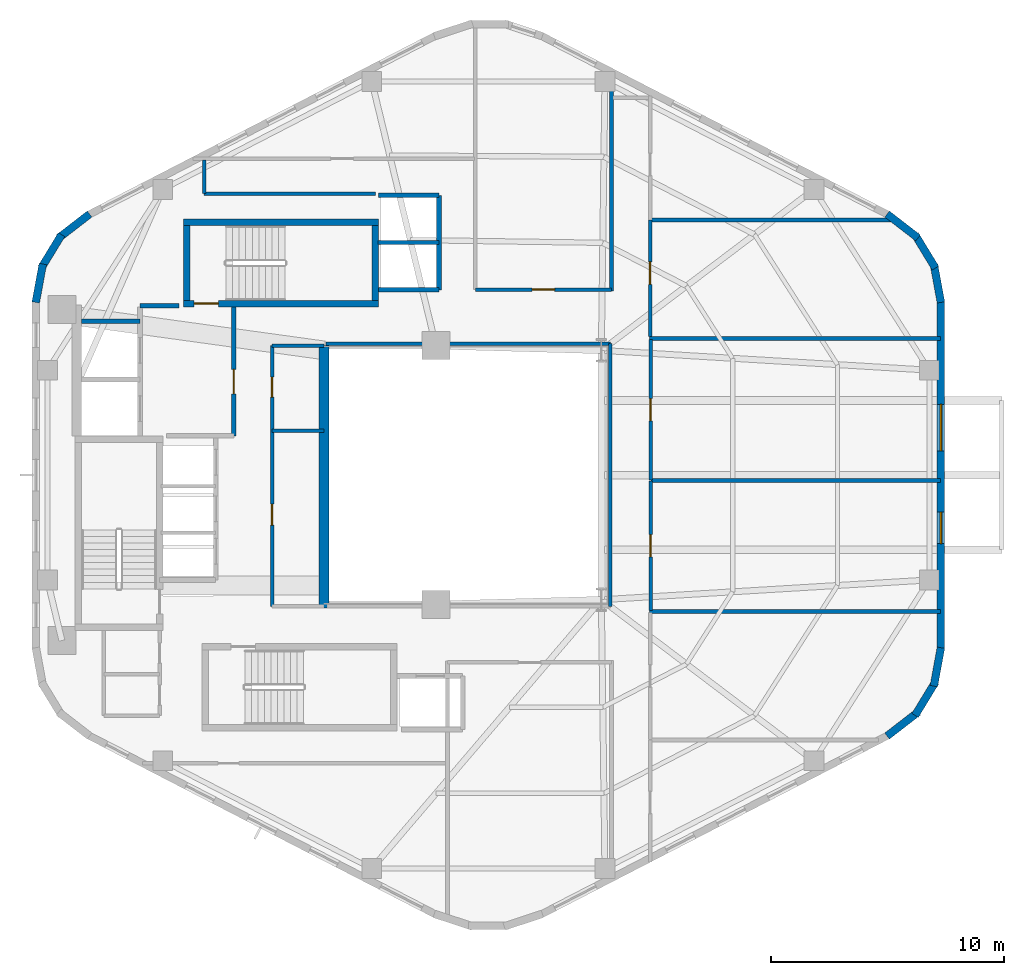
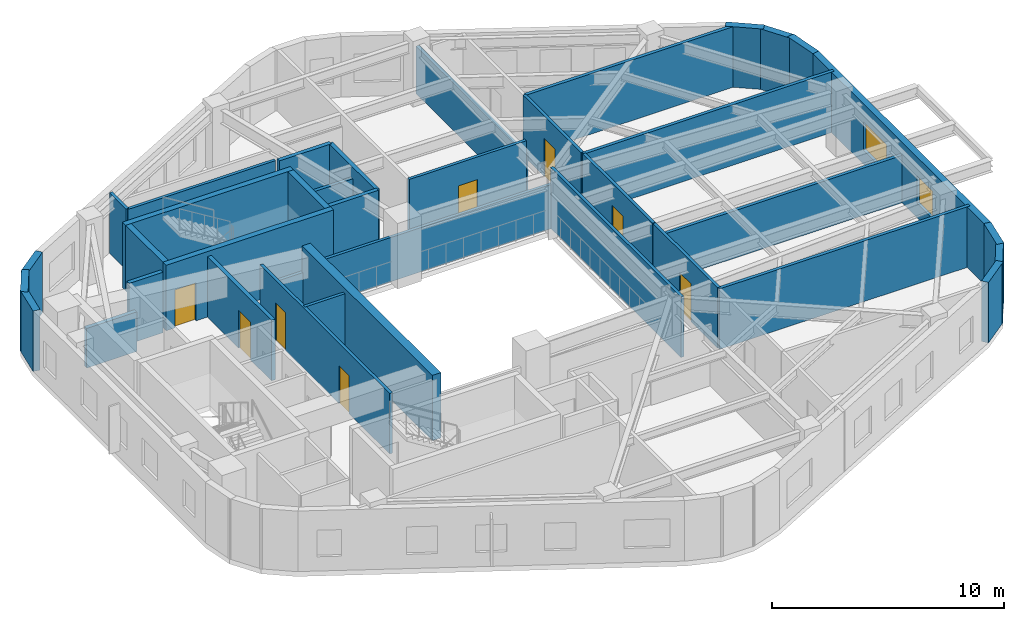
# One storey, part 4 of 6: 38 walls, 8 doors, 2 windows, 10 openings.
"""IFC4 building model written with IfcOpenShell, lengths in metres."""

from ifc_helpers import new_model, si_unit, direction, frame, frame_2d, origin, place, context, subcontext, project, spatial, rectangle, extrude, material, layer, layer_set, type_object, element, fill, save


model = new_model("IFC4")

# Units and contexts
model_context = context("Model", 3, precision=1e-05, world=origin(), true_north=direction((0.0, 1.0)))
body_context = subcontext(model_context, "Body", "Model", "MODEL_VIEW")
ifc_project = project(units=[si_unit("LENGTHUNIT", "METRE"), si_unit("AREAUNIT", "SQUARE_METRE"), si_unit("VOLUMEUNIT", "CUBIC_METRE"), si_unit("PLANEANGLEUNIT", "RADIAN"), si_unit("MASSUNIT", "GRAM", prefix="KILO"), si_unit("THERMODYNAMICTEMPERATUREUNIT", "KELVIN"), si_unit("POWERUNIT", "WATT")], contexts=[model_context])

# Site, building, storey
site_placement = place(None, origin())
site = spatial("IfcSite", under=ifc_project, at=site_placement, CompositionType="ELEMENT")
building_placement = place(site_placement, origin())
building = spatial("IfcBuilding", under=site, at=building_placement, Name="Skarre Station Tower", CompositionType="ELEMENT")
storey_placement = place(building_placement, frame((0.0, 0.0, 210.25)))
storey = spatial("IfcBuildingStorey", under=building, at=storey_placement, Name="L57", CompositionType="ELEMENT", Elevation=210.25)

# Wall
ifc_material_1 = material(Name="Acoustic Steel-Stud Gypsum Partition", Category="steel")
ifc_layer_1 = layer(ifc_material_1, 0.14990234375, Name="Acoustic Steel-Stud Gypsum Partition")
ifc_layer_set_1 = layer_set([ifc_layer_1], Name="Acoustic Steel-Stud Gypsum Partition")
wall_type_1 = type_object("IfcWallType", Name="Fire-Rated Corridor Acoustic Partition 150", PredefinedType="PARTITIONING", material=ifc_layer_set_1)
wall_1_placement = place(storey_placement, frame((25.320068359375, 25.89990234375, 0.0), z_axis=(0.0, 0.0, 1.0), x_axis=(1.0, 0.0, 0.0)))
element("IfcWall", 1, at=wall_1_placement, inside=storey, type_object=wall_type_1, Name="L57 Interior Partition WL-PT-L57-RC2-M", PredefinedType="PARTITIONING", context=body_context, shape_type="SweptSolid", body=[
    extrude(rectangle(XDim=2.22998046875, YDim=0.14990234375, at=frame_2d((1.114990234375, 0.0))), origin(), (0.0, 0.0, 1.0), 3.18994140625),
])

# Wall, openings, doors
wall_2_placement = place(storey_placement, frame((25.320068359375, 29.550048828125, 0.0), z_axis=(0.0, 0.0, 1.0), x_axis=(0.0, -1.0, 0.0)))
wall_2 = element("IfcWall", 2, at=wall_2_placement, inside=storey, type_object=wall_type_1, Name="L57 Interior Partition WL-PT-L57-RC2-W", PredefinedType="PARTITIONING", context=body_context, shape_type="SweptSolid", body=[
    extrude(rectangle(XDim=11.18994140625, YDim=0.14990234375, at=frame_2d((5.594970703125, 0.0))), origin(), (0.0, 0.0, 1.0), 3.18994140625),
])
opening_1_placement = place(wall_2_placement, frame((1.35009765625, 0.0, 0.0)))
opening_1 = element("IfcOpeningElement", 3, at=opening_1_placement, cuts=wall_2, Name="Opening DR-SVC86", PredefinedType="OPENING", context=body_context, shape_type="SweptSolid", body=[
    extrude(rectangle(XDim=0.860107421875, YDim=2.0, at=frame_2d((0.43017578125, 1.0))), frame((0.0, 0.0849609375, 0.0), z_axis=(0.0, -1.0, 0.0), x_axis=(1.0, 0.0, 0.0)), (0.0, 0.0, 1.0), 0.169921875),
])
opening_2_placement = place(wall_2_placement, frame((6.800048828125, 0.0, 0.0)))
opening_2 = element("IfcOpeningElement", 4, at=opening_2_placement, cuts=wall_2, Name="Opening DR-SVC90", PredefinedType="OPENING", context=body_context, shape_type="SweptSolid", body=[
    extrude(rectangle(XDim=0.89990234375, YDim=2.0, at=frame_2d((0.449951171875, 1.0))), frame((0.0, 0.0849609375, 0.0), z_axis=(0.0, -1.0, 0.0), x_axis=(1.0, 0.0, 0.0)), (0.0, 0.0, 1.0), 0.169921875),
])
ifc_material_2 = material(Name="Powder-Coated Hollow-Metal Acoustic Fire Leaf", Category="steel")
door_type_1 = type_object("IfcDoorType", Name="Compact Riser Fire Door FD60 860x2100", OperationType="SINGLE_SWING_LEFT", PredefinedType="DOOR", material=ifc_material_2)
door_1_placement = place(opening_1_placement, origin())
door_1 = element("IfcDoor", 5, at=door_1_placement, inside=storey, type_object=door_type_1, Name="L57 Housekeeping Room Door", OperationType="SINGLE_SWING_LEFT", OverallHeight=2.0, OverallWidth=0.860107421875, PredefinedType="DOOR", context=body_context, shape_type="SweptSolid", body=[
    extrude(rectangle(XDim=0.860107421875, YDim=2.0, at=frame_2d((0.43017578125, 1.0))), frame((0.0, 0.02490234375, 0.0), z_axis=(0.0, -1.0, 0.0), x_axis=(1.0, 0.0, 0.0)), (0.0, 0.0, 1.0), 0.050048828125),
])
fill(opening_1, door_1)
door_type_2 = type_object("IfcDoorType", Name="Service & Riser Fire Door FD60 900x2100", OperationType="SINGLE_SWING_LEFT", PredefinedType="DOOR", material=ifc_material_2)
door_2_placement = place(opening_2_placement, origin())
door_2 = element("IfcDoor", 6, at=door_2_placement, inside=storey, type_object=door_type_2, Name="L57 Tasting Pantry Door", OperationType="SINGLE_SWING_LEFT", OverallHeight=2.0, OverallWidth=0.89990234375, PredefinedType="DOOR", context=body_context, shape_type="SweptSolid", body=[
    extrude(rectangle(XDim=0.89990234375, YDim=2.0, at=frame_2d((0.449951171875, 1.0))), frame((0.0, 0.02490234375, 0.0), z_axis=(0.0, -1.0, 0.0), x_axis=(1.0, 0.0, 0.0)), (0.0, 0.0, 1.0), 0.050048828125),
])
fill(opening_2, door_2)

# Walls
wall_3_placement = place(storey_placement, frame((27.550048828125, 29.550048828125, 0.0), z_axis=(0.0, 0.0, 1.0), x_axis=(-1.0, 0.0, 0.0)))
element("IfcWall", 7, at=wall_3_placement, inside=storey, type_object=wall_type_1, Name="L57 Interior Partition WL-PT-L57-RC2-N", PredefinedType="PARTITIONING", context=body_context, shape_type="SweptSolid", body=[
    extrude(rectangle(XDim=2.22998046875, YDim=0.14990234375, at=frame_2d((1.114990234375, 0.0))), origin(), (0.0, 0.0, 1.0), 2.090087890625),
])
wall_4_placement = place(storey_placement, frame((39.840087890625, 29.639892578125, 0.0), z_axis=(0.0, 0.0, 1.0), x_axis=(-1.0, 0.0, 0.0)))
element("IfcWall", 8, at=wall_4_placement, inside=storey, type_object=wall_type_1, Name="L57 Interior Partition WL-PT-L57-ATRW-N", PredefinedType="PARTITIONING", context=body_context, shape_type="SweptSolid", body=[
    extrude(rectangle(XDim=12.203125, YDim=0.14990234375, at=frame_2d((6.1015625, 0.0))), origin(), (0.0, 0.0, 1.0), 2.3310546875),
])
wall_5_placement = place(storey_placement, frame((39.840087890625, 18.360107421875, 0.0), z_axis=(0.0, 0.0, 1.0), x_axis=(0.0, 1.0, 0.0)))
element("IfcWall", 9, at=wall_5_placement, inside=storey, type_object=wall_type_1, Name="L57 Interior Partition WL-PT-L57-ATRW-E", PredefinedType="PARTITIONING", context=body_context, shape_type="SweptSolid", body=[
    extrude(rectangle(XDim=11.27978515625, YDim=0.14990234375, at=frame_2d((5.639892578125, 0.0))), origin(), (0.0, 0.0, 1.0), 3.18994140625),
])

# Wall, opening, door
wall_6_placement = place(storey_placement, frame((39.8798828125, 31.9599609375, 0.0), z_axis=(0.0, 0.0, 1.0), x_axis=(-1.0, 0.0, 0.0)))
wall_6 = element("IfcWall", 10, at=wall_6_placement, inside=storey, type_object=wall_type_1, Name="L57 Interior Partition WL-PT-L57-NWC1-CW", PredefinedType="PARTITIONING", context=body_context, shape_type="SweptSolid", body=[
    extrude(rectangle(XDim=5.83984375, YDim=0.14990234375, at=frame_2d((2.919921875, 0.0))), origin(), (0.0, 0.0, 1.0), 3.18994140625),
])
opening_3_placement = place(wall_6_placement, frame((2.43994140625, 0.0, 0.0)))
opening_3 = element("IfcOpeningElement", 11, at=opening_3_placement, cuts=wall_6, Name="Opening DR-FD60", PredefinedType="OPENING", context=body_context, shape_type="SweptSolid", body=[
    extrude(rectangle(XDim=0.9599609375, YDim=2.0, at=frame_2d((0.47998046875, 1.0))), frame((0.0, 0.0849609375, 0.0), z_axis=(0.0, -1.0, 0.0), x_axis=(1.0, 0.0, 0.0)), (0.0, 0.0, 1.0), 0.169921875),
])
ifc_material_3 = material(Name="Nordic White-Oak Veneer Solid-Core Fire Leaf", Category="wood")
door_type_3 = type_object("IfcDoorType", Name="Corridor Suite Entry Fire Door FD60 960x2150", OperationType="SINGLE_SWING_LEFT", PredefinedType="DOOR", material=ifc_material_3)
door_3_placement = place(opening_3_placement, origin())
door_3 = element("IfcDoor", 12, at=door_3_placement, inside=storey, type_object=door_type_3, Name="L57 NWC1 Entry Door", OperationType="SINGLE_SWING_LEFT", OverallHeight=2.0, OverallWidth=0.9599609375, PredefinedType="DOOR", context=body_context, shape_type="SweptSolid", body=[
    extrude(rectangle(XDim=0.9599609375, YDim=2.0, at=frame_2d((0.47998046875, 1.0))), frame((0.0, 0.02490234375, 0.0), z_axis=(0.0, -1.0, 0.0), x_axis=(1.0, 0.0, 0.0)), (0.0, 0.0, 1.0), 0.050048828125),
])
fill(opening_3, door_3)

wall_7_placement = place(storey_placement, frame((41.5400390625, 34.93798828125, 0.0), z_axis=(0.0, 0.0, 1.0), x_axis=(0.0, -1.0, 0.0)))
wall_7 = element("IfcWall", 13, at=wall_7_placement, inside=storey, type_object=wall_type_1, Name="L57 Interior Partition WL-PT-L57-NW1-CW", PredefinedType="PARTITIONING", context=body_context, shape_type="SweptSolid", body=[
    extrude(rectangle(XDim=5.0, YDim=0.14990234375, at=frame_2d((2.5, 0.0))), origin(), (0.0, 0.0, 1.0), 3.18994140625),
])
opening_4_placement = place(wall_7_placement, frame((1.794921875, 0.0, 0.0)))
opening_4 = element("IfcOpeningElement", 14, at=opening_4_placement, cuts=wall_7, Name="Opening DR-FD60", PredefinedType="OPENING", context=body_context, shape_type="SweptSolid", body=[
    extrude(rectangle(XDim=0.9599609375, YDim=2.0, at=frame_2d((0.47998046875, 1.0))), frame((0.0, 0.0849609375, 0.0), z_axis=(0.0, -1.0, 0.0), x_axis=(1.0, 0.0, 0.0)), (0.0, 0.0, 1.0), 0.169921875),
])
door_4_placement = place(opening_4_placement, origin())
door_4 = element("IfcDoor", 15, at=door_4_placement, inside=storey, type_object=door_type_3, Name="L57 NW1 Entry Door", OperationType="SINGLE_SWING_LEFT", OverallHeight=2.0, OverallWidth=0.9599609375, PredefinedType="DOOR", context=body_context, shape_type="SweptSolid", body=[
    extrude(rectangle(XDim=0.9599609375, YDim=2.0, at=frame_2d((0.47998046875, 1.0))), frame((0.0, 0.02490234375, 0.0), z_axis=(0.0, -1.0, 0.0), x_axis=(1.0, 0.0, 0.0)), (0.0, 0.0, 1.0), 0.050048828125),
])
fill(opening_4, door_4)

wall_8_placement = place(storey_placement, frame((41.56005859375, 18.179931640625, 0.0), z_axis=(0.0, 0.0, 1.0), x_axis=(0.0, 1.0, 0.0)))
wall_8 = element("IfcWall", 16, at=wall_8_placement, inside=storey, type_object=wall_type_1, Name="L57 Interior Partition WL-PT-L57-EW1-CW", PredefinedType="PARTITIONING", context=body_context, shape_type="SweptSolid", body=[
    extrude(rectangle(XDim=5.569091796875, YDim=0.14990234375, at=frame_2d((2.78466796875, 0.0))), origin(), (0.0, 0.0, 1.0), 3.18994140625),
])
opening_5_placement = place(wall_8_placement, frame((2.304931640625, 0.0, 0.0)))
opening_5 = element("IfcOpeningElement", 17, at=opening_5_placement, cuts=wall_8, Name="Opening DR-FD60", PredefinedType="OPENING", context=body_context, shape_type="SweptSolid", body=[
    extrude(rectangle(XDim=0.9599609375, YDim=2.0, at=frame_2d((0.47998046875, 1.0))), frame((0.0, 0.0849609375, 0.0), z_axis=(0.0, -1.0, 0.0), x_axis=(1.0, 0.0, 0.0)), (0.0, 0.0, 1.0), 0.169921875),
])
door_5_placement = place(opening_5_placement, origin())
door_5 = element("IfcDoor", 18, at=door_5_placement, inside=storey, type_object=door_type_3, Name="L57 EW1 Entry Door", OperationType="SINGLE_SWING_LEFT", OverallHeight=2.0, OverallWidth=0.9599609375, PredefinedType="DOOR", context=body_context, shape_type="SweptSolid", body=[
    extrude(rectangle(XDim=0.9599609375, YDim=2.0, at=frame_2d((0.47998046875, 1.0))), frame((0.0, 0.02490234375, 0.0), z_axis=(0.0, -1.0, 0.0), x_axis=(1.0, 0.0, 0.0)), (0.0, 0.0, 1.0), 0.050048828125),
])
fill(opening_5, door_5)

wall_9_placement = place(storey_placement, frame((41.56005859375, 23.784912109375, 0.0), z_axis=(0.0, 0.0, 1.0), x_axis=(0.0, 1.0, 0.0)))
wall_9 = element("IfcWall", 19, at=wall_9_placement, inside=storey, type_object=wall_type_1, Name="L57 Interior Partition WL-PT-L57-EW2-CW", PredefinedType="PARTITIONING", context=body_context, shape_type="SweptSolid", body=[
    extrude(rectangle(XDim=6.03515625, YDim=0.14990234375, at=frame_2d((3.017578125, 0.0))), origin(), (0.0, 0.0, 1.0), 3.18994140625),
])
opening_6_placement = place(wall_9_placement, frame((2.5380859375, 0.0, 0.0)))
opening_6 = element("IfcOpeningElement", 20, at=opening_6_placement, cuts=wall_9, Name="Opening DR-FD60", PredefinedType="OPENING", context=body_context, shape_type="SweptSolid", body=[
    extrude(rectangle(XDim=0.9599609375, YDim=2.0, at=frame_2d((0.47998046875, 1.0))), frame((0.0, 0.0849609375, 0.0), z_axis=(0.0, -1.0, 0.0), x_axis=(1.0, 0.0, 0.0)), (0.0, 0.0, 1.0), 0.169921875),
])
door_6_placement = place(opening_6_placement, origin())
door_6 = element("IfcDoor", 21, at=door_6_placement, inside=storey, type_object=door_type_3, Name="L57 EW2 Entry Door", OperationType="SINGLE_SWING_LEFT", OverallHeight=2.0, OverallWidth=0.9599609375, PredefinedType="DOOR", context=body_context, shape_type="SweptSolid", body=[
    extrude(rectangle(XDim=0.9599609375, YDim=2.0, at=frame_2d((0.47998046875, 1.0))), frame((0.0, 0.02490234375, 0.0), z_axis=(0.0, -1.0, 0.0), x_axis=(1.0, 0.0, 0.0)), (0.0, 0.0, 1.0), 0.050048828125),
])
fill(opening_6, door_6)

# Walls
wall_10_placement = place(storey_placement, frame((29.7529296875, 36.080078125, 0.0), z_axis=(0.0, 0.0, 1.0), x_axis=(-1.0, 0.0, 0.0)))
element("IfcWall", 22, at=wall_10_placement, inside=storey, type_object=wall_type_1, Name="L57 Interior Partition WL-PT-L57-CSEAL-1", PredefinedType="PARTITIONING", context=body_context, shape_type="SweptSolid", body=[
    extrude(rectangle(XDim=7.35302734375, YDim=0.14990234375, at=frame_2d((3.676513671875, 0.0))), origin(), (0.0, 0.0, 1.0), 3.18994140625),
])
wall_11_placement = place(storey_placement, frame((22.39990234375, 36.080078125, 0.0), z_axis=(0.0, 0.0, 1.0), x_axis=(0.0, 1.0, 0.0)))
element("IfcWall", 23, at=wall_11_placement, inside=storey, type_object=wall_type_1, Name="L57 Interior Partition WL-PT-L57-CSEAL-2", PredefinedType="PARTITIONING", context=body_context, shape_type="SweptSolid", body=[
    extrude(rectangle(XDim=1.429931640625, YDim=0.14990234375, at=frame_2d((0.71484375, 0.0))), origin(), (0.0, 0.0, 1.0), 3.18994140625),
])
ifc_material_4 = material(Name="Precast concrete C45/55", Category="concrete")
ifc_layer_2 = layer(ifc_material_4, 0.330078125, Name="Precast concrete C45/55")
ifc_layer_set_2 = layer_set([ifc_layer_2], Name="Precast concrete C45/55")
wall_type_2 = type_object("IfcWallType", Name="Nordic Rounded Corner Precast Wall 330", PredefinedType="STANDARD", material=ifc_layer_set_2)
wall_12_placement = place(storey_placement, frame((51.7109375, 35.199951171875, 0.0), z_axis=(0.0, 0.0, 1.0), x_axis=(0.791464279355, -0.611215423976, 0.0)))
element("IfcWall", 24, at=wall_12_placement, inside=storey, type_object=wall_type_2, Name="L57 Rounded Corner Precast Wall F0-1", PredefinedType="STANDARD", context=body_context, shape_type="SweptSolid", body=[
    extrude(rectangle(XDim=1.6767578125, YDim=0.330078125, at=frame_2d((0.83837890625, 0.0))), origin(), (0.0, 0.0, 1.0), 3.18994140625),
])
wall_13_placement = place(storey_placement, frame((52.912109375, 34.31494140625, 0.0), z_axis=(0.0, 0.0, 1.0), x_axis=(0.520219286058, -0.85403272444, 0.0)))
element("IfcWall", 25, at=wall_13_placement, inside=storey, type_object=wall_type_2, Name="L57 Rounded Corner Precast Wall F0-2", PredefinedType="STANDARD", context=body_context, shape_type="SweptSolid", body=[
    extrude(rectangle(XDim=1.677734375, YDim=0.330078125, at=frame_2d((0.8388671875, 0.0))), origin(), (0.0, 0.0, 1.0), 3.18994140625),
])
for number, where, z_axis, x_axis, name in (
    (26, (53.718017578125, 33.056884765625, 0.0), (0.0, 0.0, 1.0), (0.180717642671, -0.983535019014, 0.0), "L57 Rounded Corner Precast Wall F0-3"),
    (27, (15.178955078125, 31.407958984375, 0.0), (0.0, 0.0, 1.0), (0.180717642671, 0.983535019014, 0.0), "L57 Rounded Corner Precast Wall F2-1"),
):
    element("IfcWall", number, at=place(storey_placement, frame(where, z_axis=z_axis, x_axis=x_axis)), inside=storey, type_object=wall_type_2, Name=name, PredefinedType="STANDARD", context=body_context, shape_type="SweptSolid", body=[
        extrude(rectangle(XDim=1.676513671875, YDim=0.330078125, at=frame_2d((0.83837890625, 0.0))), origin(), (0.0, 0.0, 1.0), 3.18994140625),
    ])
wall_14_placement = place(storey_placement, frame((15.4150390625, 32.882080078125, 0.0), z_axis=(0.0, 0.0, 1.0), x_axis=(0.520325409202, 0.853968072318, 0.0)))
element("IfcWall", 28, at=wall_14_placement, inside=storey, type_object=wall_type_2, Name="L57 Rounded Corner Precast Wall F2-2", PredefinedType="STANDARD", context=body_context, shape_type="SweptSolid", body=[
    extrude(rectangle(XDim=1.677978515625, YDim=0.330078125, at=frame_2d((0.8388671875, 0.0))), origin(), (0.0, 0.0, 1.0), 3.18994140625),
])
for number, where, z_axis, x_axis, name in (
    (29, (16.162109375, 34.175048828125, 0.0), (0.0, 0.0, 1.0), (0.791409877269, 0.611285862884, 0.0), "L57 Rounded Corner Precast Wall F2-3"),
    (30, (54.02099609375, 16.592041015625, 0.0), (0.0, 0.0, 1.0), (-0.180717642671, -0.983535019014, 0.0), "L57 Rounded Corner Precast Wall F5-1"),
):
    element("IfcWall", number, at=place(storey_placement, frame(where, z_axis=z_axis, x_axis=x_axis)), inside=storey, type_object=wall_type_2, Name=name, PredefinedType="STANDARD", context=body_context, shape_type="SweptSolid", body=[
        extrude(rectangle(XDim=1.676513671875, YDim=0.330078125, at=frame_2d((0.83837890625, 0.0))), origin(), (0.0, 0.0, 1.0), 3.18994140625),
    ])
wall_15_placement = place(storey_placement, frame((53.784912109375, 15.117919921875, 0.0), z_axis=(0.0, 0.0, 1.0), x_axis=(-0.520219286058, -0.85403272444, 0.0)))
element("IfcWall", 31, at=wall_15_placement, inside=storey, type_object=wall_type_2, Name="L57 Rounded Corner Precast Wall F5-2", PredefinedType="STANDARD", context=body_context, shape_type="SweptSolid", body=[
    extrude(rectangle(XDim=1.677734375, YDim=0.330078125, at=frame_2d((0.8388671875, 0.0))), origin(), (0.0, 0.0, 1.0), 3.18994140625),
])
wall_16_placement = place(storey_placement, frame((53.0380859375, 13.824951171875, 0.0), z_axis=(0.0, 0.0, 1.0), x_axis=(-0.791464279355, -0.611215423976, 0.0)))
element("IfcWall", 32, at=wall_16_placement, inside=storey, type_object=wall_type_2, Name="L57 Rounded Corner Precast Wall F5-3", PredefinedType="STANDARD", context=body_context, shape_type="SweptSolid", body=[
    extrude(rectangle(XDim=1.6767578125, YDim=0.330078125, at=frame_2d((0.83837890625, 0.0))), origin(), (0.0, 0.0, 1.0), 3.18994140625),
])

# Wall, openings, windows
ifc_layer_3 = layer(ifc_material_4, 0.31005859375, Name="Precast concrete C45/55")
ifc_layer_set_3 = layer_set([ifc_layer_3], Name="Precast concrete C45/55")
wall_type_3 = type_object("IfcWallType", Name="Nordic Upper-Zone Precast Facet Wall 310", PredefinedType="STANDARD", material=ifc_layer_set_3)
wall_17_placement = place(storey_placement, frame((54.01708984375, 31.501953125, 0.0), z_axis=(0.0, 0.0, 1.0), x_axis=(0.0, -1.0, 0.0)))
wall_17 = element("IfcWall", 33, at=wall_17_placement, inside=storey, type_object=wall_type_3, Name="L57 Facet 5 Nordic Precast Masonry Wall", PredefinedType="STANDARD", context=body_context, shape_type="SweptSolid", body=[
    extrude(rectangle(XDim=15.00390625, YDim=0.31005859375, at=frame_2d((7.501953125, 0.0))), origin(), (0.0, 0.0, 1.0), 3.18994140625),
])
opening_7_placement = place(wall_17_placement, frame((4.468994140625, 0.0, 0.75)))
opening_7 = element("IfcOpeningElement", 34, at=opening_7_placement, cuts=wall_17, Name="Opening WN-Z3A", PredefinedType="OPENING", context=body_context, shape_type="SweptSolid", body=[
    extrude(rectangle(XDim=2.0, YDim=1.5, at=frame_2d((1.0, 0.75))), frame((0.0, 0.1650390625, 0.0), z_axis=(0.0, -1.0, 0.0), x_axis=(1.0, 0.0, 0.0)), (0.0, 0.0, 1.0), 0.330078125),
])
opening_8_placement = place(wall_17_placement, frame((9.093017578125, 0.0, 0.75)))
opening_8 = element("IfcOpeningElement", 35, at=opening_8_placement, cuts=wall_17, Name="Opening WN-Z3B", PredefinedType="OPENING", context=body_context, shape_type="SweptSolid", body=[
    extrude(rectangle(XDim=1.35009765625, YDim=1.449951171875, at=frame_2d((0.675048828125, 0.72509765625))), frame((0.0, 0.1650390625, 0.0), z_axis=(0.0, -1.0, 0.0), x_axis=(1.0, 0.0, 0.0)), (0.0, 0.0, 1.0), 0.330078125),
])
ifc_material_5 = material(Name="Low-Iron Triple Glazing with Bronze Anodized Frame", Category="glass")
window_type_1 = type_object("IfcWindowType", Name="Nordic Hospitality Narrow Window 1350x1450", PartitioningType="SINGLE_PANEL", PredefinedType="WINDOW", material=ifc_material_5)
window_1_placement = place(opening_8_placement, origin())
window_1 = element("IfcWindow", 36, at=window_1_placement, inside=storey, type_object=window_type_1, Name="L57 Facade Window WL-FAC-L57-F5-2", OverallHeight=1.449951171875, OverallWidth=1.35009765625, PartitioningType="SINGLE_PANEL", PredefinedType="WINDOW", context=body_context, shape_type="SweptSolid", body=[
    extrude(rectangle(XDim=1.35009765625, YDim=1.449951171875, at=frame_2d((0.675048828125, 0.72509765625))), frame((0.0, 0.030029296875, 0.0), z_axis=(0.0, -1.0, 0.0), x_axis=(1.0, 0.0, 0.0)), (0.0, 0.0, 1.0), 0.06005859375),
])
fill(opening_8, window_1)
window_type_2 = type_object("IfcWindowType", Name="Nordic Hospitality Window 2000x1500", PartitioningType="SINGLE_PANEL", PredefinedType="WINDOW", material=ifc_material_5)
window_2_placement = place(opening_7_placement, origin())
window_2 = element("IfcWindow", 37, at=window_2_placement, inside=storey, type_object=window_type_2, Name="L57 Facade Window WL-FAC-L57-F5-1", OverallHeight=1.5, OverallWidth=2.0, PartitioningType="SINGLE_PANEL", PredefinedType="WINDOW", context=body_context, shape_type="SweptSolid", body=[
    extrude(rectangle(XDim=2.0, YDim=1.5, at=frame_2d((1.0, 0.75))), frame((0.0, 0.030029296875, 0.0), z_axis=(0.0, -1.0, 0.0), x_axis=(1.0, 0.0, 0.0)), (0.0, 0.0, 1.0), 0.06005859375),
])
fill(opening_7, window_2)

# Wall, opening, door
ifc_material_6 = material(Name="Concrete C50/60", Category="concrete")
ifc_layer_4 = layer(ifc_material_6, 0.280029296875, Name="Concrete C50/60")
ifc_layer_set_4 = layer_set([ifc_layer_4], Name="Concrete C50/60")
wall_type_4 = type_object("IfcWallType", Name="RC Core Shear Wall 280", PredefinedType="SHEAR", material=ifc_layer_set_4)
wall_18_placement = place(storey_placement, frame((21.52001953125, 31.360107421875, 0.0), z_axis=(0.0, 0.0, 1.0), x_axis=(1.0, 0.0, 0.0)))
wall_18 = element("IfcWall", 38, at=wall_18_placement, inside=storey, type_object=wall_type_4, Name="L57 Stair ST-3 South Shear Wall", PredefinedType="SHEAR", context=body_context, shape_type="SweptSolid", body=[
    extrude(rectangle(XDim=8.35986328125, YDim=0.280029296875, at=frame_2d((4.179931640625, 0.0))), origin(), (0.0, 0.0, 1.0), 3.449951171875),
])
opening_9_placement = place(wall_18_placement, frame((0.449951171875, 0.0, 0.0)))
opening_9 = element("IfcOpeningElement", 39, at=opening_9_placement, cuts=wall_18, Name="Opening DR-FD90", PredefinedType="OPENING", context=body_context, shape_type="SweptSolid", body=[
    extrude(rectangle(XDim=1.050048828125, YDim=2.0, at=frame_2d((0.52490234375, 1.0))), frame((0.0, 0.14990234375, 0.0), z_axis=(0.0, -1.0, 0.0), x_axis=(1.0, 0.0, 0.0)), (0.0, 0.0, 1.0), 0.300048828125),
])
ifc_material_7 = material(Name="Fire-Rated Insulated Steel Frame & Timber Core Leaf", Category="steel")
door_type_4 = type_object("IfcDoorType", Name="Stair & FSAE Lobby Fire Door FD90 1050x2150", OperationType="SINGLE_SWING_RIGHT", PredefinedType="DOOR", material=ifc_material_7)
door_7_placement = place(opening_9_placement, origin())
door_7 = element("IfcDoor", 40, at=door_7_placement, inside=storey, type_object=door_type_4, Name="L57 Stair ST-3 & FSAE Lobby Direct Exit Door", OperationType="SINGLE_SWING_LEFT", OverallHeight=2.0, OverallWidth=1.050048828125, PredefinedType="DOOR", context=body_context, shape_type="SweptSolid", body=[
    extrude(rectangle(XDim=1.050048828125, YDim=2.0, at=frame_2d((0.52490234375, 1.0))), frame((0.0, 0.02490234375, 0.0), z_axis=(0.0, -1.0, 0.0), x_axis=(1.0, 0.0, 0.0)), (0.0, 0.0, 1.0), 0.050048828125),
])
fill(opening_9, door_7)

# Walls
wall_19_placement = place(storey_placement, frame((29.8798828125, 34.840087890625, 0.0), z_axis=(0.0, 0.0, 1.0), x_axis=(-1.0, 0.0, 0.0)))
element("IfcWall", 41, at=wall_19_placement, inside=storey, type_object=wall_type_4, Name="L57 Stair ST-3 North Shear Wall", PredefinedType="SHEAR", context=body_context, shape_type="SweptSolid", body=[
    extrude(rectangle(XDim=8.35986328125, YDim=0.280029296875, at=frame_2d((4.179931640625, 0.0))), origin(), (0.0, 0.0, 1.0), 3.449951171875),
])
for number, where, z_axis, x_axis, name in (
    (42, (21.659912109375, 34.699951171875, 0.0), (0.0, 0.0, 1.0), (0.0, -1.0, 0.0), "L57 Stair ST-3 West Shear Wall"),
    (43, (29.739990234375, 31.5, 0.0), (0.0, 0.0, 1.0), (0.0, 1.0, 0.0), "L57 Stair ST-3 East Shear Wall"),
):
    element("IfcWall", number, at=place(storey_placement, frame(where, z_axis=z_axis, x_axis=x_axis)), inside=storey, type_object=wall_type_4, Name=name, PredefinedType="SHEAR", context=body_context, shape_type="SweptSolid", body=[
        extrude(rectangle(XDim=3.199951171875, YDim=0.280029296875, at=frame_2d((1.60009765625, 0.0))), origin(), (0.0, 0.0, 1.0), 3.449951171875),
    ])
ifc_material_8 = material(Name="Concrete C60/75", Category="concrete")
ifc_layer_5 = layer(ifc_material_8, 0.419921875, Name="Concrete C60/75")
ifc_layer_set_5 = layer_set([ifc_layer_5], Name="Concrete C60/75")
wall_type_5 = type_object("IfcWallType", Name="RC Core Shear Wall 420", PredefinedType="SHEAR", material=ifc_layer_set_5)
wall_20_placement = place(storey_placement, frame((27.550048828125, 29.550048828125, 0.0), z_axis=(0.0, 0.0, 1.0), x_axis=(0.0, -1.0, 0.0)))
element("IfcWall", 44, at=wall_20_placement, inside=storey, type_object=wall_type_5, Name="L57 Core East Atrium Shear Wall", PredefinedType="SHEAR", context=body_context, shape_type="SweptSolid", body=[
    extrude(rectangle(XDim=11.25, YDim=0.419921875, at=frame_2d((5.625, 0.0))), origin(), (0.0, 0.0, 1.0), 3.449951171875),
])

# Wall, opening, door
ifc_material_9 = material(Name="Gypsum Concrete Shaft Assembly C30/37", Category="concrete")
ifc_layer_6 = layer(ifc_material_9, 0.199951171875, Name="Gypsum Concrete Shaft Assembly C30/37")
ifc_layer_set_6 = layer_set([ifc_layer_6], Name="Gypsum Concrete Shaft Assembly C30/37")
wall_type_6 = type_object("IfcWallType", Name="Shaft & Core Fire Partition 200", PredefinedType="PARTITIONING", material=ifc_layer_set_6)
wall_21_placement = place(storey_placement, frame((23.679931640625, 25.679931640625, 0.0), z_axis=(0.0, 0.0, 1.0), x_axis=(0.0, 1.0, 0.0)))
wall_21 = element("IfcWall", 45, at=wall_21_placement, inside=storey, type_object=wall_type_6, Name="L57 Interior Partition WL-PT-L57-FSAE-E", PredefinedType="PARTITIONING", context=body_context, shape_type="SweptSolid", body=[
    extrude(rectangle(XDim=5.5400390625, YDim=0.199951171875, at=frame_2d((2.77001953125, 0.0))), origin(), (0.0, 0.0, 1.0), 3.18994140625),
])
opening_10_placement = place(wall_21_placement, frame((1.800048828125, 0.0, 0.0)))
opening_10 = element("IfcOpeningElement", 46, at=opening_10_placement, cuts=wall_21, Name="Opening DR-FD90", PredefinedType="OPENING", context=body_context, shape_type="SweptSolid", body=[
    extrude(rectangle(XDim=1.050048828125, YDim=2.0, at=frame_2d((0.52490234375, 1.0))), frame((0.0, 0.10986328125, 0.0), z_axis=(0.0, -1.0, 0.0), x_axis=(1.0, 0.0, 0.0)), (0.0, 0.0, 1.0), 0.219970703125),
])
door_8_placement = place(opening_10_placement, origin())
door_8 = element("IfcDoor", 47, at=door_8_placement, inside=storey, type_object=door_type_4, Name="L57 FSAE Lobby Fire Door", OperationType="SINGLE_SWING_RIGHT", OverallHeight=2.0, OverallWidth=1.050048828125, PredefinedType="DOOR", context=body_context, shape_type="SweptSolid", body=[
    extrude(rectangle(XDim=1.050048828125, YDim=2.0, at=frame_2d((0.52490234375, 1.0))), frame((0.0, 0.02490234375, 0.0), z_axis=(0.0, -1.0, 0.0), x_axis=(1.0, 0.0, 0.0)), (0.0, 0.0, 1.0), 0.050048828125),
])
fill(opening_10, door_8)

# Walls
wall_22_placement = place(storey_placement, frame((21.330078125, 31.260009765625, 0.0), z_axis=(0.0, 0.0, 1.0), x_axis=(-1.0, 0.0, 0.0)))
element("IfcWall", 48, at=wall_22_placement, inside=storey, type_object=wall_type_6, Name="L57 Interior Partition WL-PT-L57-FSAE-N", PredefinedType="PARTITIONING", context=body_context, shape_type="SweptSolid", body=[
    extrude(rectangle(XDim=1.68017578125, YDim=0.199951171875, at=frame_2d((0.840087890625, 0.0))), origin(), (0.0, 0.0, 1.0), 3.18994140625),
])
wall_23_placement = place(storey_placement, frame((19.64990234375, 30.60009765625, 0.0), z_axis=(0.0, 0.0, 1.0), x_axis=(-1.0, 0.0, 0.0)))
element("IfcWall", 49, at=wall_23_placement, inside=storey, type_object=wall_type_6, Name="L57 Interior Partition WL-PT-L57-FF-N", PredefinedType="PARTITIONING", context=body_context, shape_type="SweptSolid", body=[
    extrude(rectangle(XDim=2.5, YDim=0.199951171875, at=frame_2d((1.25, 0.0))), origin(), (0.0, 0.0, 1.0), 2.090087890625),
])
wall_24_placement = place(storey_placement, frame((32.47998046875, 31.949951171875, 0.0), z_axis=(0.0, 0.0, 1.0), x_axis=(0.0, 1.0, 0.0)))
element("IfcWall", 50, at=wall_24_placement, inside=storey, type_object=wall_type_6, Name="L57 Interior Partition WL-PT-L57-EX-E", PredefinedType="PARTITIONING", context=body_context, shape_type="SweptSolid", body=[
    extrude(rectangle(XDim=4.050048828125, YDim=0.199951171875, at=frame_2d((2.02490234375, 0.0))), origin(), (0.0, 0.0, 1.0), 3.18994140625),
])
for number, where, z_axis, x_axis, name in (
    (51, (29.8798828125, 36.0, 0.0), (0.0, 0.0, 1.0), (1.0, 0.0, 0.0), "L57 Interior Partition WL-PT-L57-EX-N"),
    (52, (32.47998046875, 31.949951171875, 0.0), (0.0, 0.0, 1.0), (-1.0, 0.0, 0.0), "L57 Interior Partition WL-PT-L57-EX-S"),
):
    element("IfcWall", number, at=place(storey_placement, frame(where, z_axis=z_axis, x_axis=x_axis)), inside=storey, type_object=wall_type_6, Name=name, PredefinedType="PARTITIONING", context=body_context, shape_type="SweptSolid", body=[
        extrude(rectangle(XDim=2.60009765625, YDim=0.199951171875, at=frame_2d((1.300048828125, 0.0))), origin(), (0.0, 0.0, 1.0), 3.18994140625),
    ])
wall_25_placement = place(storey_placement, frame((29.875, 33.97998046875, 0.0), z_axis=(0.0, 0.0, 1.0), x_axis=(1.0, 0.0, 0.0)))
element("IfcWall", 53, at=wall_25_placement, inside=storey, type_object=wall_type_6, Name="L57 Interior Partition WL-PT-L57-EX-DIV", PredefinedType="PARTITIONING", context=body_context, shape_type="SweptSolid", body=[
    extrude(rectangle(XDim=2.60498046875, YDim=0.159912109375, at=frame_2d((1.302490234375, 0.0))), origin(), (0.0, 0.0, 1.0), 2.58203125),
])
ifc_layer_7 = layer(ifc_material_1, 0.1650390625, Name="Acoustic Steel-Stud Gypsum Partition")
ifc_layer_set_7 = layer_set([ifc_layer_7], Name="Acoustic Steel-Stud Gypsum Partition")
wall_type_7 = type_object("IfcWallType", Name="Suite Demising Acoustic Partition 165", PredefinedType="PARTITIONING", material=ifc_layer_set_7)
wall_26_placement = place(storey_placement, frame((39.8798828125, 31.889892578125, 0.0), z_axis=(0.0, 0.0, 1.0), x_axis=(0.0, 1.0, 0.0)))
element("IfcWall", 54, at=wall_26_placement, inside=storey, type_object=wall_type_7, Name="L57 Interior Partition WL-PT-L57-NWC-E", PredefinedType="PARTITIONING", context=body_context, shape_type="SweptSolid", body=[
    extrude(rectangle(XDim=9.406005859375, YDim=0.1650390625, at=frame_2d((4.703125, 0.0))), origin(), (0.0, 0.0, 1.0), 2.4970703125),
])
wall_27_placement = place(storey_placement, frame((41.550048828125, 34.943115234375, 0.0), z_axis=(0.0, 0.0, 1.0), x_axis=(1.0, 0.0, 0.0)))
element("IfcWall", 55, at=wall_27_placement, inside=storey, type_object=wall_type_7, Name="L57 Interior Partition WL-PT-L57-NW-P1", PredefinedType="PARTITIONING", context=body_context, shape_type="SweptSolid", body=[
    extrude(rectangle(XDim=10.48486328125, YDim=0.1650390625, at=frame_2d((5.242431640625, 0.0))), origin(), (0.0, 0.0, 1.0), 3.18994140625),
])
for number, where, z_axis, x_axis, name in (
    (56, (41.52001953125, 18.139892578125, 0.0), (0.0, 0.0, 1.0), (1.0, 0.0, 0.0), "L57 Interior Partition WL-PT-L57-EWB-S"),
    (57, (41.52001953125, 29.860107421875, 0.0), (0.0, 0.0, 1.0), (1.0, 0.0, 0.0), "L57 Interior Partition WL-PT-L57-EWB-N"),
):
    element("IfcWall", number, at=place(storey_placement, frame(where, z_axis=z_axis, x_axis=x_axis)), inside=storey, type_object=wall_type_7, Name=name, PredefinedType="PARTITIONING", context=body_context, shape_type="SweptSolid", body=[
        extrude(rectangle(XDim=12.48193359375, YDim=0.1650390625, at=frame_2d((6.240966796875, 0.0))), origin(), (0.0, 0.0, 1.0), 3.18994140625),
    ])
wall_28_placement = place(storey_placement, frame((41.590087890625, 23.76708984375, 0.0), z_axis=(0.0, 0.0, 1.0), x_axis=(1.0, 0.0, 0.0)))
element("IfcWall", 58, at=wall_28_placement, inside=storey, type_object=wall_type_7, Name="L57 Interior Partition WL-PT-L57-EW-P1", PredefinedType="PARTITIONING", context=body_context, shape_type="SweptSolid", body=[
    extrude(rectangle(XDim=12.411865234375, YDim=0.1650390625, at=frame_2d((6.2060546875, 0.0))), origin(), (0.0, 0.0, 1.0), 2.493896484375),
])

save(model, "model.ifc")
